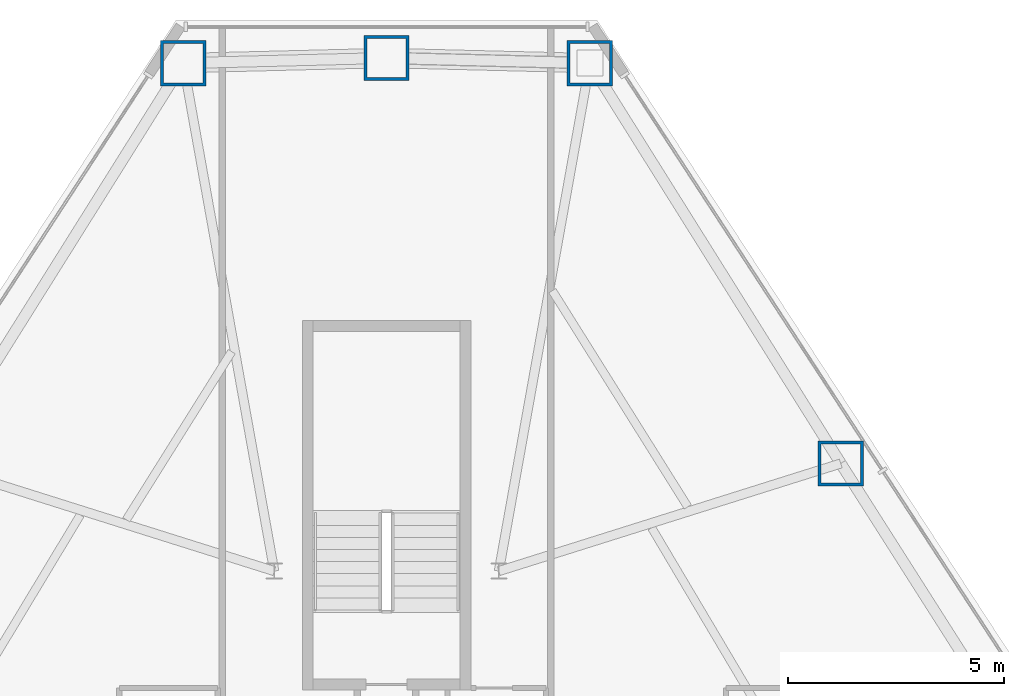
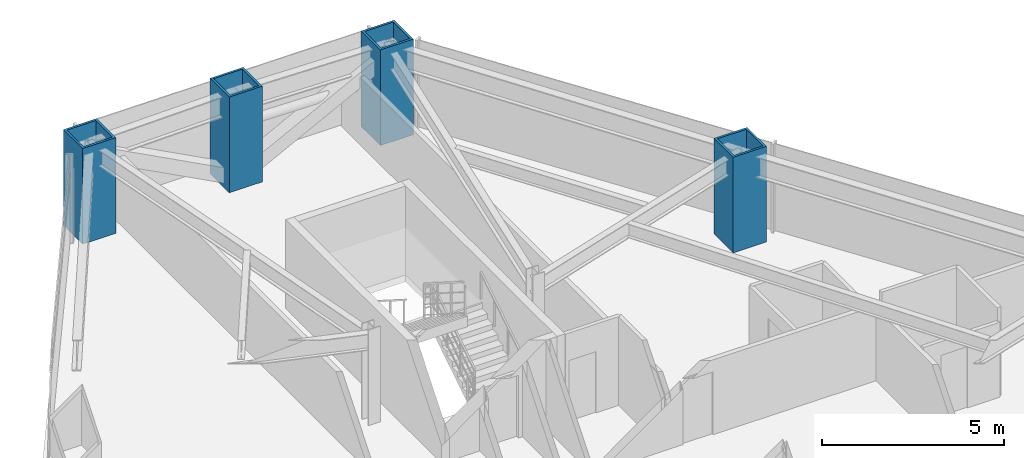
# One storey, part 3 of 12: 4 columns.
"""IFC4 building model written with IfcOpenShell, lengths in metres."""

from ifc_helpers import new_model, si_unit, direction, frame, origin, origin_2d, place, context, subcontext, project, spatial, hollow_rectangle, extrude, material, material_profile, profile_set, type_object, element, save


model = new_model("IFC4")

# Units and contexts
model_context = context("Model", 3, precision=1e-05, world=origin(), true_north=direction((0.0, 1.0)))
body_context = subcontext(model_context, "Body", "Model", "MODEL_VIEW")
ifc_project = project(units=[si_unit("LENGTHUNIT", "METRE"), si_unit("AREAUNIT", "SQUARE_METRE"), si_unit("VOLUMEUNIT", "CUBIC_METRE"), si_unit("PLANEANGLEUNIT", "RADIAN"), si_unit("MASSUNIT", "GRAM", prefix="KILO")], contexts=[model_context])

# Site, building, storey
site_placement = place(None, origin())
site = spatial("IfcSite", under=ifc_project, at=site_placement, CompositionType="ELEMENT")
building_placement = place(site_placement, origin())
building = spatial("IfcBuilding", under=site, at=building_placement, Name="Varakhsha Concourse Tower", CompositionType="ELEMENT")
storey_placement = place(building_placement, frame((0.0, 0.0, 76.60009765625)))
storey = spatial("IfcBuildingStorey", under=building, at=storey_placement, Name="L21", CompositionType="ELEMENT", Elevation=76.60009765625)

# Columns
ifc_material = material(Name="Structural Steel ASTM A572 Grade 50", Category="steel")
ifc_material_profile = material_profile(ifc_material, hollow_rectangle(XDim=1.050048828125, YDim=1.050048828125, WallThickness=0.070068359375, at=origin_2d()), Name="BOX 1050x1050x70")
ifc_profile_set = profile_set([ifc_material_profile], Name="Structural Steel ASTM A572 Grade 50")
column_type = type_object("IfcColumnType", Name="CL-TUBE-1050", PredefinedType="COLUMN", material=ifc_profile_set)
for number, where, z_axis, x_axis, name in (
    (1, (44.7080078125, 52.963623046875, 0.0), (0.0, 0.0, 1.0), (1.0, 0.0, 0.0), "L21 Framed-Tube Column TC01"),
    (2, (40.0, 53.08251953125, 0.0), (0.0, 0.0, 1.0), (1.0, 0.0, 0.0), "L21 Framed-Tube Column TC02"),
    (3, (35.2919921875, 52.963623046875, 0.0), (0.0, 0.0, 1.0), (1.0, 0.0, 0.0), "L21 Framed-Tube Column TC03"),
    (4, (50.518310546875, 43.6923828125, 0.0), (0.0, 0.0, 1.0), (1.0, 0.0, 0.0), "L21 Framed-Tube Column TC18"),
):
    element("IfcColumn", number, at=place(storey_placement, frame(where, z_axis=z_axis, x_axis=x_axis)), inside=storey, type_object=column_type, Name=name, PredefinedType="COLUMN", context=body_context, shape_type="SweptSolid", body=[
        extrude(hollow_rectangle(XDim=1.050048828125, YDim=1.050048828125, WallThickness=0.070068359375, at=origin_2d()), origin(), (0.0, 0.0, 1.0), 3.199951171875),
    ])

save(model, "model.ifc")
